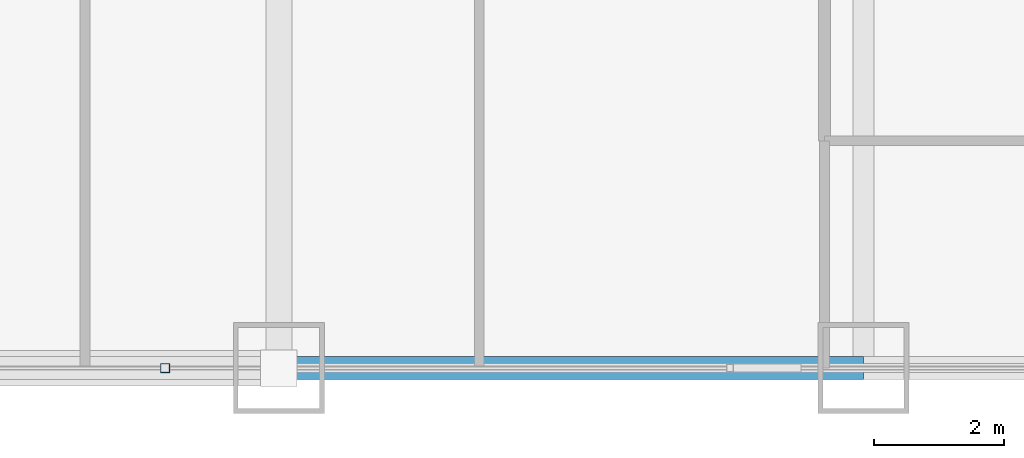
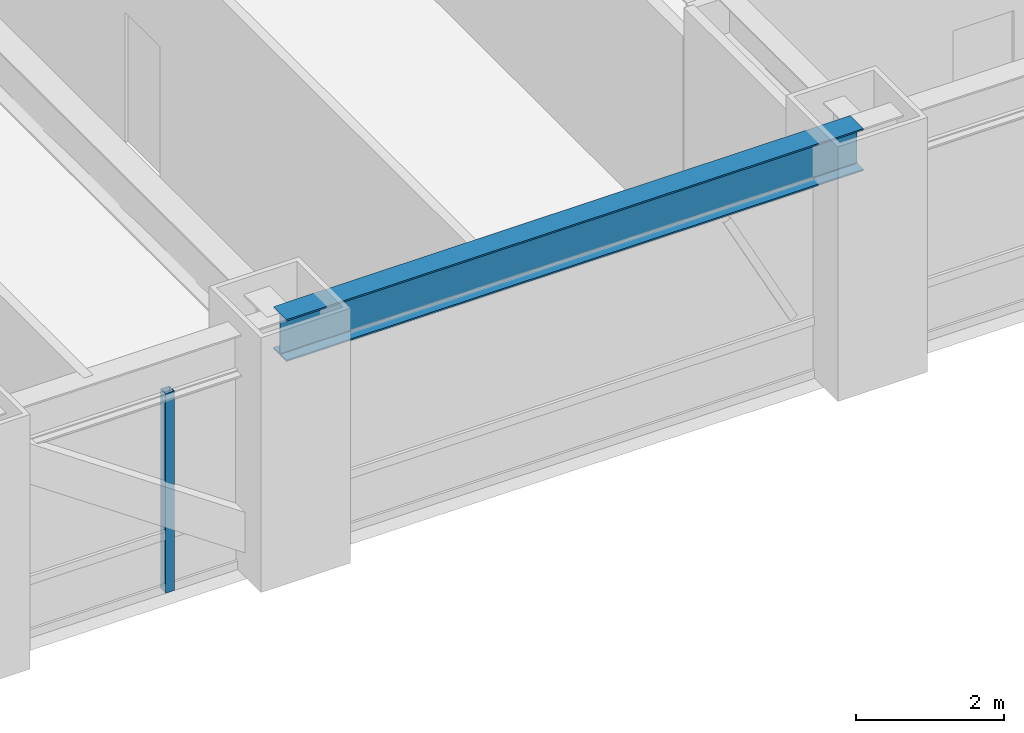
# One storey, part 8 of 27: 1 beam, 1 member, 1 element without a shape of its own.
"""IFC4 building model written with IfcOpenShell, lengths in metres."""

from ifc_helpers import new_model, si_unit, direction, frame, origin, origin_2d, place, context, subcontext, project, spatial, hollow_rectangle, i_section, extrude, source, transform, mapped, material, material_profile, profile_set, type_object, element, aggregate, save


model = new_model("IFC4")

# Units and contexts
model_context = context("Model", 3, precision=1e-05, world=origin(), true_north=direction((0.0, 1.0)))
body_context = subcontext(model_context, "Body", "Model", "MODEL_VIEW")
ifc_project = project(units=[si_unit("LENGTHUNIT", "METRE"), si_unit("AREAUNIT", "SQUARE_METRE"), si_unit("VOLUMEUNIT", "CUBIC_METRE"), si_unit("PLANEANGLEUNIT", "RADIAN"), si_unit("MASSUNIT", "GRAM", prefix="KILO")], contexts=[model_context])

# Site, building, storey
site_placement = place(None, origin())
site = spatial("IfcSite", under=ifc_project, at=site_placement, CompositionType="ELEMENT")
building_placement = place(site_placement, origin())
building = spatial("IfcBuilding", under=site, at=building_placement, Name="Khorayat Bourse Tower", CompositionType="ELEMENT")
storey_placement = place(building_placement, frame((0.0, 0.0, 49.39990234375)))
storey = spatial("IfcBuildingStorey", under=building, at=storey_placement, Name="L10", CompositionType="ELEMENT", Elevation=49.39990234375)

# Beam
ifc_material_1 = material(Name="Steel ASTM A992 Grade 50", Category="steel")
ifc_material_profile_1 = material_profile(ifc_material_1, i_section(OverallWidth=0.35498046875, OverallDepth=0.695068359375, WebThickness=0.015380859375, FlangeThickness=0.02490234375, FilletRadius=0.01806640625, at=origin_2d()), Name="W690X217")
ifc_profile_set_1 = profile_set([ifc_material_profile_1], Name="Steel ASTM A992 Grade 50")
beam_type = type_object("IfcBeamType", Name="BM-SPAN-690", PredefinedType="SPANDREL", material=ifc_profile_set_1)
shared_shape_1 = source(origin(), body_context, "Body", "SweptSolid", [
    extrude(i_section(OverallWidth=0.35498046875, OverallDepth=0.695068359375, WebThickness=0.015380859375, FlangeThickness=0.02490234375, FilletRadius=0.01806640625, at=origin_2d()), origin(), (0.0, 0.0, 1.0), 9.0),
])
beam_placement = place(storey_placement, frame((11.0, -32.0, 3.592529296875), z_axis=(1.0, 0.0, 0.0), x_axis=(0.0, 1.0, 0.0)))
element("IfcBeam", 1, at=beam_placement, inside=storey, type_object=beam_type, Name="L10 BM-SPAN-690 BM-L10-SPN-030", PredefinedType="SPANDREL", context=body_context, shape_type="MappedRepresentation", body=[
    mapped(shared_shape_1, transform((0.0, 0.0, 0.0), scale=1.0)),
])

# Curtain wall, member
ifc_material_2 = material(Name="Aluminium EN AW-6063 T6", Category="aluminium")
curtain_wall_type = type_object("IfcCurtainWallType", Name="CW-SYS-02", PredefinedType="NOTDEFINED", material=ifc_material_2)
curtain_wall_placement = place(storey_placement, origin())
curtain_wall = element("IfcCurtainWall", 2, at=curtain_wall_placement, inside=storey, type_object=curtain_wall_type, Name="L10 Curtain Wall CW-L10-S1", PredefinedType="NOTDEFINED")
ifc_material_profile_2 = material_profile(ifc_material_2, hollow_rectangle(XDim=0.139892578125, YDim=0.139892578125, WallThickness=0.006103515625, at=origin_2d()), Name="ALU 140x140x6")
ifc_profile_set_2 = profile_set([ifc_material_profile_2], Name="Aluminium EN AW-6063 T6")
member_type = type_object("IfcMemberType", Name="CWM-VERT-140", PredefinedType="MULLION", material=ifc_profile_set_2)
shared_shape_2 = source(origin(), body_context, "Body", "SweptSolid", [
    extrude(hollow_rectangle(XDim=0.139892578125, YDim=0.139892578125, WallThickness=0.006103515625, at=origin_2d()), origin(), (0.0, 0.0, 1.0), 3.2900390625),
])
member_placement = place(storey_placement, frame((9.25, -32.0, 0.0), z_axis=(0.0, 0.0, 1.0), x_axis=(0.0, 1.0, 0.0)))
member = element("IfcMember", 3, at=member_placement, type_object=member_type, Name="CW-L10-S1 Vertical Mullion 3", PredefinedType="MULLION", context=body_context, shape_type="MappedRepresentation", body=[
    mapped(shared_shape_2, transform((0.0, 0.0, 0.0), scale=1.0)),
])
aggregate(curtain_wall, [member])

save(model, "model.ifc")
